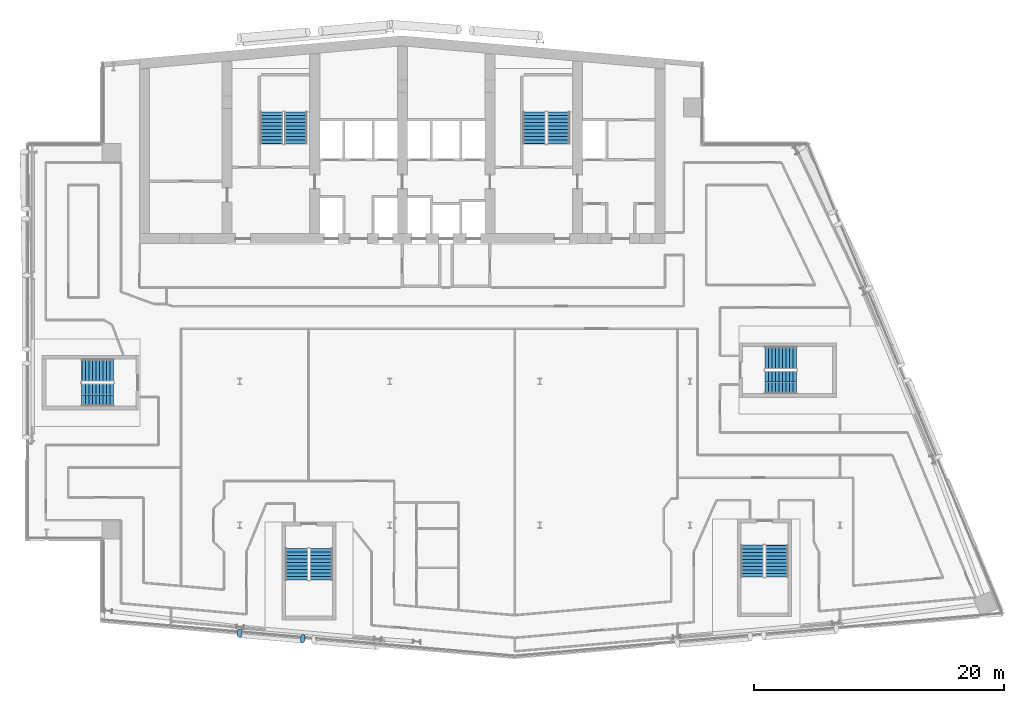
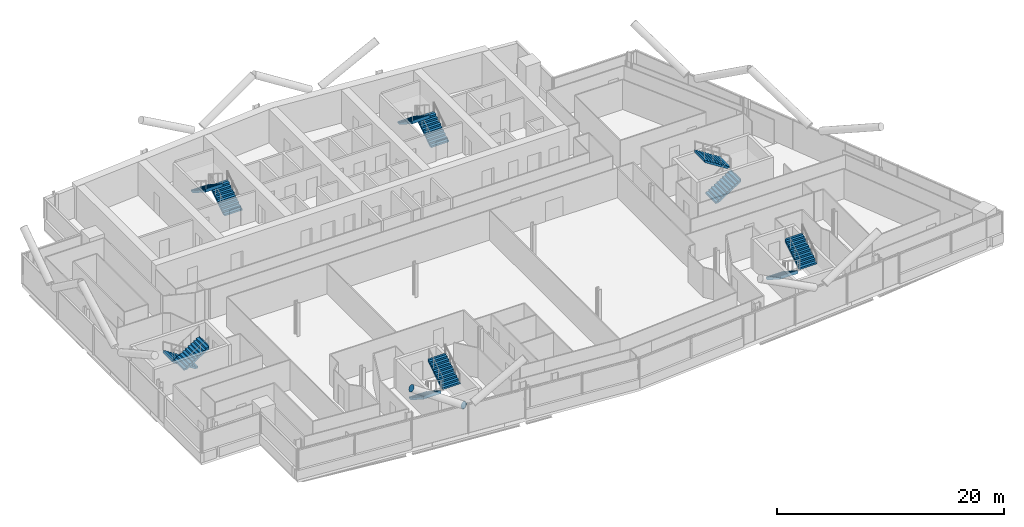
# One storey, part 21 of 28: 12 stair flights, 2 discrete accessories, 6 elements without a shape of their own.
"""IFC4 building model written with IfcOpenShell, lengths in metres."""

from ifc_helpers import new_model, si_unit, direction, frame, origin, origin_2d, place, context, subcontext, project, spatial, polyline, circle, outline, extrude, material, material_profile, profile_set, type_object, element, aggregate, save


model = new_model("IFC4")

# Units and contexts
model_context = context("Model", 3, precision=1e-05, world=origin(), true_north=direction((0.0, 1.0)))
body_context = subcontext(model_context, "Body", "Model", "MODEL_VIEW")
ifc_project = project(units=[si_unit("LENGTHUNIT", "METRE"), si_unit("AREAUNIT", "SQUARE_METRE"), si_unit("VOLUMEUNIT", "CUBIC_METRE"), si_unit("PLANEANGLEUNIT", "RADIAN"), si_unit("MASSUNIT", "GRAM", prefix="KILO")], contexts=[model_context])

# Site, building, storey
site_placement = place(None, origin())
site = spatial("IfcSite", under=ifc_project, at=site_placement, CompositionType="ELEMENT")
building_placement = place(site_placement, origin())
building = spatial("IfcBuilding", under=site, at=building_placement, Name="Wharfspan Tower", CompositionType="ELEMENT")
storey_placement = place(building_placement, frame((0.0, 0.0, 187.899902)))
storey = spatial("IfcBuildingStorey", under=building, at=storey_placement, Name="L46", CompositionType="ELEMENT", Elevation=187.899902)

# Stair, stair flights
ifc_material_1 = material(Name="Concrete C40/50", Category="concrete")
stair_type = type_object("IfcStairType", Name="Half-turn stair 20 risers 180 mm", PredefinedType="HALF_TURN_STAIR", material=ifc_material_1)
stair_1_placement = place(storey_placement, origin())
stair_1 = element("IfcStair", 1, at=stair_1_placement, inside=storey, type_object=stair_type, Name="L46 stair ST1", PredefinedType="HALF_TURN_STAIR")
stair_flight_type = type_object("IfcStairFlightType", Name="Stair flight 20 risers 180 mm", PredefinedType="STRAIGHT", material=ifc_material_1)
stair_flight_1_placement = place(storey_placement, frame((28.5, 42.0, 0.0), z_axis=(0.0, 0.0, 1.0), x_axis=(0.0, 1.0, 0.0)))
stair_flight_1 = element("IfcStairFlight", 2, at=stair_flight_1_placement, type_object=stair_flight_type, Name="ST1 flight 1", NumberOfRisers=10, NumberOfTreads=9, PredefinedType="STRAIGHT", RiserHeight=0.18, TreadLength=0.28, context=body_context, shape_type="SweptSolid", body=[
    extrude(outline(polyline([(-0.011963, 0.0), (-0.011963, 0.179932), (0.0, 0.179932), (0.280029, 0.179932), (0.280029, 0.360107), (0.560059, 0.360107), (0.560059, 0.540039), (0.840088, 0.540039), (0.840088, 0.719971), (1.120117, 0.719971), (1.120117, 0.899902), (1.399902, 0.899902), (1.399902, 1.080078), (1.679932, 1.080078), (1.679932, 1.26001), (1.959961, 1.26001), (1.959961, 1.439941), (2.23999, 1.439941), (2.23999, 1.620117), (2.52002, 1.620117), (2.531982, 1.800049), (2.531982, 1.441895), (0.2771, 0.0), (-0.011963, 0.0)])), frame((0.0, 0.899902, 0.0), z_axis=(0.0, -1.0, 0.0), x_axis=(1.0, 0.0, 0.0)), (0.0, 0.0, 1.0), 0.899414),
    extrude(outline(polyline([(-0.011963, 0.0), (-0.011963, 0.179932), (0.0, 0.179932), (0.280029, 0.179932), (0.280029, 0.360107), (0.560059, 0.360107), (0.560059, 0.540039), (0.840088, 0.540039), (0.840088, 0.719971), (1.120117, 0.719971), (1.120117, 0.899902), (1.399902, 0.899902), (1.399902, 1.080078), (1.679932, 1.080078), (1.679932, 1.26001), (1.959961, 1.26001), (1.959961, 1.439941), (2.23999, 1.439941), (2.23999, 1.620117), (2.52002, 1.620117), (2.531982, 1.800049), (2.531982, 1.441895), (0.2771, 0.0), (-0.011963, 0.0)])), frame((0.0, -0.000488, 0.0), z_axis=(0.0, -1.0, 0.0), x_axis=(1.0, 0.0, 0.0)), (0.0, 0.0, 1.0), 0.899414),
])
stair_flight_2_placement = place(storey_placement, frame((26.550049, 44.52002, 1.800049), z_axis=(0.0, 0.0, 1.0), x_axis=(0.0, -1.0, 0.0)))
stair_flight_2 = element("IfcStairFlight", 3, at=stair_flight_2_placement, type_object=stair_flight_type, Name="ST1 flight 2", NumberOfRisers=10, NumberOfTreads=9, PredefinedType="STRAIGHT", RiserHeight=0.18, TreadLength=0.28, context=body_context, shape_type="SweptSolid", body=[
    extrude(outline(polyline([(-0.011963, 0.0), (-0.011963, 0.179932), (0.0, 0.179932), (0.280029, 0.179932), (0.280029, 0.360107), (0.560059, 0.360107), (0.560059, 0.540039), (0.840088, 0.540039), (0.840088, 0.719971), (1.120117, 0.719971), (1.120117, 0.899902), (1.399902, 0.899902), (1.399902, 1.080078), (1.679932, 1.080078), (1.679932, 1.26001), (1.959961, 1.26001), (1.959961, 1.439941), (2.23999, 1.439941), (2.23999, 1.620117), (2.52002, 1.620117), (2.531982, 1.800049), (2.531982, 1.441895), (0.2771, 0.0), (-0.011963, 0.0)])), frame((0.0, 0.899902, 0.0), z_axis=(0.0, -1.0, 0.0), x_axis=(1.0, 0.0, 0.0)), (0.0, 0.0, 1.0), 0.899414),
    extrude(outline(polyline([(-0.011963, 0.0), (-0.011963, 0.179932), (0.0, 0.179932), (0.280029, 0.179932), (0.280029, 0.360107), (0.560059, 0.360107), (0.560059, 0.540039), (0.840088, 0.540039), (0.840088, 0.719971), (1.120117, 0.719971), (1.120117, 0.899902), (1.399902, 0.899902), (1.399902, 1.080078), (1.679932, 1.080078), (1.679932, 1.26001), (1.959961, 1.26001), (1.959961, 1.439941), (2.23999, 1.439941), (2.23999, 1.620117), (2.52002, 1.620117), (2.531982, 1.800049), (2.531982, 1.441895), (0.2771, 0.0), (-0.011963, 0.0)])), frame((0.0, -0.000488, 0.0), z_axis=(0.0, -1.0, 0.0), x_axis=(1.0, 0.0, 0.0)), (0.0, 0.0, 1.0), 0.899414),
])
aggregate(stair_1, [stair_flight_1, stair_flight_2])

stair_2_placement = place(storey_placement, origin())
stair_2 = element("IfcStair", 4, at=stair_2_placement, inside=storey, type_object=stair_type, Name="L46 stair ST2", PredefinedType="HALF_TURN_STAIR")
stair_flight_3_placement = place(storey_placement, frame((49.5, 42.0, 0.0), z_axis=(0.0, 0.0, 1.0), x_axis=(0.0, 1.0, 0.0)))
stair_flight_3 = element("IfcStairFlight", 5, at=stair_flight_3_placement, type_object=stair_flight_type, Name="ST2 flight 1", NumberOfRisers=10, NumberOfTreads=9, PredefinedType="STRAIGHT", RiserHeight=0.18, TreadLength=0.28, context=body_context, shape_type="SweptSolid", body=[
    extrude(outline(polyline([(-0.011963, 0.0), (-0.011963, 0.179932), (0.0, 0.179932), (0.280029, 0.179932), (0.280029, 0.360107), (0.560059, 0.360107), (0.560059, 0.540039), (0.840088, 0.540039), (0.840088, 0.719971), (1.120117, 0.719971), (1.120117, 0.899902), (1.399902, 0.899902), (1.399902, 1.080078), (1.679932, 1.080078), (1.679932, 1.26001), (1.959961, 1.26001), (1.959961, 1.439941), (2.23999, 1.439941), (2.23999, 1.620117), (2.52002, 1.620117), (2.531982, 1.800049), (2.531982, 1.441895), (0.2771, 0.0), (-0.011963, 0.0)])), frame((0.0, 0.899902, 0.0), z_axis=(0.0, -1.0, 0.0), x_axis=(1.0, 0.0, 0.0)), (0.0, 0.0, 1.0), 0.899414),
    extrude(outline(polyline([(-0.011963, 0.0), (-0.011963, 0.179932), (0.0, 0.179932), (0.280029, 0.179932), (0.280029, 0.360107), (0.560059, 0.360107), (0.560059, 0.540039), (0.840088, 0.540039), (0.840088, 0.719971), (1.120117, 0.719971), (1.120117, 0.899902), (1.399902, 0.899902), (1.399902, 1.080078), (1.679932, 1.080078), (1.679932, 1.26001), (1.959961, 1.26001), (1.959961, 1.439941), (2.23999, 1.439941), (2.23999, 1.620117), (2.52002, 1.620117), (2.531982, 1.800049), (2.531982, 1.441895), (0.2771, 0.0), (-0.011963, 0.0)])), frame((0.0, -0.000488, 0.0), z_axis=(0.0, -1.0, 0.0), x_axis=(1.0, 0.0, 0.0)), (0.0, 0.0, 1.0), 0.899414),
])
stair_flight_4_placement = place(storey_placement, frame((47.550049, 44.52002, 1.800049), z_axis=(0.0, 0.0, 1.0), x_axis=(0.0, -1.0, 0.0)))
stair_flight_4 = element("IfcStairFlight", 6, at=stair_flight_4_placement, type_object=stair_flight_type, Name="ST2 flight 2", NumberOfRisers=10, NumberOfTreads=9, PredefinedType="STRAIGHT", RiserHeight=0.18, TreadLength=0.28, context=body_context, shape_type="SweptSolid", body=[
    extrude(outline(polyline([(-0.011963, 0.0), (-0.011963, 0.179932), (0.0, 0.179932), (0.280029, 0.179932), (0.280029, 0.360107), (0.560059, 0.360107), (0.560059, 0.540039), (0.840088, 0.540039), (0.840088, 0.719971), (1.120117, 0.719971), (1.120117, 0.899902), (1.399902, 0.899902), (1.399902, 1.080078), (1.679932, 1.080078), (1.679932, 1.26001), (1.959961, 1.26001), (1.959961, 1.439941), (2.23999, 1.439941), (2.23999, 1.620117), (2.52002, 1.620117), (2.531982, 1.800049), (2.531982, 1.441895), (0.2771, 0.0), (-0.011963, 0.0)])), frame((0.0, 0.899902, 0.0), z_axis=(0.0, -1.0, 0.0), x_axis=(1.0, 0.0, 0.0)), (0.0, 0.0, 1.0), 0.899414),
    extrude(outline(polyline([(-0.011963, 0.0), (-0.011963, 0.179932), (0.0, 0.179932), (0.280029, 0.179932), (0.280029, 0.360107), (0.560059, 0.360107), (0.560059, 0.540039), (0.840088, 0.540039), (0.840088, 0.719971), (1.120117, 0.719971), (1.120117, 0.899902), (1.399902, 0.899902), (1.399902, 1.080078), (1.679932, 1.080078), (1.679932, 1.26001), (1.959961, 1.26001), (1.959961, 1.439941), (2.23999, 1.439941), (2.23999, 1.620117), (2.52002, 1.620117), (2.531982, 1.800049), (2.531982, 1.441895), (0.2771, 0.0), (-0.011963, 0.0)])), frame((0.0, -0.000488, 0.0), z_axis=(0.0, -1.0, 0.0), x_axis=(1.0, 0.0, 0.0)), (0.0, 0.0, 1.0), 0.899414),
])
aggregate(stair_2, [stair_flight_3, stair_flight_4])

stair_3_placement = place(storey_placement, origin())
stair_3 = element("IfcStair", 7, at=stair_3_placement, inside=storey, type_object=stair_type, Name="L46 stair ST3", PredefinedType="HALF_TURN_STAIR")
stair_flight_5_placement = place(storey_placement, frame((13.899902, 23.875, 0.0), z_axis=(0.0, 0.0, 1.0), x_axis=(-1.0, 0.0, 0.0)))
stair_flight_5 = element("IfcStairFlight", 8, at=stair_flight_5_placement, type_object=stair_flight_type, Name="ST3 flight 1", NumberOfRisers=10, NumberOfTreads=9, PredefinedType="STRAIGHT", RiserHeight=0.18, TreadLength=0.28, context=body_context, shape_type="SweptSolid", body=[
    extrude(outline(polyline([(-0.011963, 0.0), (-0.011963, 0.179932), (0.0, 0.179932), (0.280029, 0.179932), (0.280029, 0.360107), (0.560059, 0.360107), (0.560059, 0.540039), (0.840088, 0.540039), (0.840088, 0.719971), (1.120117, 0.719971), (1.120117, 0.899902), (1.399902, 0.899902), (1.399902, 1.080078), (1.679932, 1.080078), (1.679932, 1.26001), (1.959961, 1.26001), (1.959961, 1.439941), (2.23999, 1.439941), (2.23999, 1.620117), (2.52002, 1.620117), (2.531982, 1.800049), (2.531982, 1.441895), (0.2771, 0.0), (-0.011963, 0.0)])), frame((0.0, 0.899902, 0.0), z_axis=(0.0, -1.0, 0.0), x_axis=(1.0, 0.0, 0.0)), (0.0, 0.0, 1.0), 0.899414),
    extrude(outline(polyline([(-0.011963, 0.0), (-0.011963, 0.179932), (0.0, 0.179932), (0.280029, 0.179932), (0.280029, 0.360107), (0.560059, 0.360107), (0.560059, 0.540039), (0.840088, 0.540039), (0.840088, 0.719971), (1.120117, 0.719971), (1.120117, 0.899902), (1.399902, 0.899902), (1.399902, 1.080078), (1.679932, 1.080078), (1.679932, 1.26001), (1.959961, 1.26001), (1.959961, 1.439941), (2.23999, 1.439941), (2.23999, 1.620117), (2.52002, 1.620117), (2.531982, 1.800049), (2.531982, 1.441895), (0.2771, 0.0), (-0.011963, 0.0)])), frame((0.0, -0.000488, 0.0), z_axis=(0.0, -1.0, 0.0), x_axis=(1.0, 0.0, 0.0)), (0.0, 0.0, 1.0), 0.899414),
])
stair_flight_6_placement = place(storey_placement, frame((11.379883, 21.925049, 1.800049), z_axis=(0.0, 0.0, 1.0), x_axis=(1.0, 0.0, 0.0)))
stair_flight_6 = element("IfcStairFlight", 9, at=stair_flight_6_placement, type_object=stair_flight_type, Name="ST3 flight 2", NumberOfRisers=10, NumberOfTreads=9, PredefinedType="STRAIGHT", RiserHeight=0.18, TreadLength=0.28, context=body_context, shape_type="SweptSolid", body=[
    extrude(outline(polyline([(-0.011963, 0.0), (-0.011963, 0.179932), (0.0, 0.179932), (0.280029, 0.179932), (0.280029, 0.360107), (0.560059, 0.360107), (0.560059, 0.540039), (0.840088, 0.540039), (0.840088, 0.719971), (1.120117, 0.719971), (1.120117, 0.899902), (1.399902, 0.899902), (1.399902, 1.080078), (1.679932, 1.080078), (1.679932, 1.26001), (1.959961, 1.26001), (1.959961, 1.439941), (2.23999, 1.439941), (2.23999, 1.620117), (2.52002, 1.620117), (2.531982, 1.800049), (2.531982, 1.441895), (0.2771, 0.0), (-0.011963, 0.0)])), frame((0.0, 0.899902, 0.0), z_axis=(0.0, -1.0, 0.0), x_axis=(1.0, 0.0, 0.0)), (0.0, 0.0, 1.0), 0.899414),
    extrude(outline(polyline([(-0.011963, 0.0), (-0.011963, 0.179932), (0.0, 0.179932), (0.280029, 0.179932), (0.280029, 0.360107), (0.560059, 0.360107), (0.560059, 0.540039), (0.840088, 0.540039), (0.840088, 0.719971), (1.120117, 0.719971), (1.120117, 0.899902), (1.399902, 0.899902), (1.399902, 1.080078), (1.679932, 1.080078), (1.679932, 1.26001), (1.959961, 1.26001), (1.959961, 1.439941), (2.23999, 1.439941), (2.23999, 1.620117), (2.52002, 1.620117), (2.531982, 1.800049), (2.531982, 1.441895), (0.2771, 0.0), (-0.011963, 0.0)])), frame((0.0, -0.000488, 0.0), z_axis=(0.0, -1.0, 0.0), x_axis=(1.0, 0.0, 0.0)), (0.0, 0.0, 1.0), 0.899414),
])
aggregate(stair_3, [stair_flight_5, stair_flight_6])

stair_4_placement = place(storey_placement, origin())
stair_4 = element("IfcStair", 10, at=stair_4_placement, inside=storey, type_object=stair_type, Name="L46 stair ST4", PredefinedType="HALF_TURN_STAIR")
stair_flight_7_placement = place(storey_placement, frame((28.564209, 9.634277, 0.0), z_axis=(0.0, 0.0, 1.0), x_axis=(0.0, -1.0, 0.0)))
stair_flight_7 = element("IfcStairFlight", 11, at=stair_flight_7_placement, type_object=stair_flight_type, Name="ST4 flight 1", NumberOfRisers=10, NumberOfTreads=9, PredefinedType="STRAIGHT", RiserHeight=0.18, TreadLength=0.28, context=body_context, shape_type="SweptSolid", body=[
    extrude(outline(polyline([(-0.011963, 0.0), (-0.011963, 0.179932), (0.0, 0.179932), (0.280029, 0.179932), (0.280029, 0.360107), (0.560059, 0.360107), (0.560059, 0.540039), (0.840088, 0.540039), (0.840088, 0.719971), (1.120117, 0.719971), (1.120117, 0.899902), (1.399902, 0.899902), (1.399902, 1.080078), (1.679932, 1.080078), (1.679932, 1.26001), (1.959961, 1.26001), (1.959961, 1.439941), (2.23999, 1.439941), (2.23999, 1.620117), (2.52002, 1.620117), (2.531982, 1.800049), (2.531982, 1.441895), (0.2771, 0.0), (-0.011963, 0.0)])), frame((0.0, 0.899902, 0.0), z_axis=(0.0, -1.0, 0.0), x_axis=(1.0, 0.0, 0.0)), (0.0, 0.0, 1.0), 0.899414),
    extrude(outline(polyline([(-0.011963, 0.0), (-0.011963, 0.179932), (0.0, 0.179932), (0.280029, 0.179932), (0.280029, 0.360107), (0.560059, 0.360107), (0.560059, 0.540039), (0.840088, 0.540039), (0.840088, 0.719971), (1.120117, 0.719971), (1.120117, 0.899902), (1.399902, 0.899902), (1.399902, 1.080078), (1.679932, 1.080078), (1.679932, 1.26001), (1.959961, 1.26001), (1.959961, 1.439941), (2.23999, 1.439941), (2.23999, 1.620117), (2.52002, 1.620117), (2.531982, 1.800049), (2.531982, 1.441895), (0.2771, 0.0), (-0.011963, 0.0)])), frame((0.0, -0.000488, 0.0), z_axis=(0.0, -1.0, 0.0), x_axis=(1.0, 0.0, 0.0)), (0.0, 0.0, 1.0), 0.899414),
])
stair_flight_8_placement = place(storey_placement, frame((30.51416, 7.114258, 1.800049), z_axis=(0.0, 0.0, 1.0), x_axis=(0.0, 1.0, 0.0)))
stair_flight_8 = element("IfcStairFlight", 12, at=stair_flight_8_placement, type_object=stair_flight_type, Name="ST4 flight 2", NumberOfRisers=10, NumberOfTreads=9, PredefinedType="STRAIGHT", RiserHeight=0.18, TreadLength=0.28, context=body_context, shape_type="SweptSolid", body=[
    extrude(outline(polyline([(-0.011963, 0.0), (-0.011963, 0.179932), (0.0, 0.179932), (0.280029, 0.179932), (0.280029, 0.360107), (0.560059, 0.360107), (0.560059, 0.540039), (0.840088, 0.540039), (0.840088, 0.719971), (1.120117, 0.719971), (1.120117, 0.899902), (1.399902, 0.899902), (1.399902, 1.080078), (1.679932, 1.080078), (1.679932, 1.26001), (1.959961, 1.26001), (1.959961, 1.439941), (2.23999, 1.439941), (2.23999, 1.620117), (2.52002, 1.620117), (2.531982, 1.800049), (2.531982, 1.441895), (0.2771, 0.0), (-0.011963, 0.0)])), frame((0.0, 0.899902, 0.0), z_axis=(0.0, -1.0, 0.0), x_axis=(1.0, 0.0, 0.0)), (0.0, 0.0, 1.0), 0.899414),
    extrude(outline(polyline([(-0.011963, 0.0), (-0.011963, 0.179932), (0.0, 0.179932), (0.280029, 0.179932), (0.280029, 0.360107), (0.560059, 0.360107), (0.560059, 0.540039), (0.840088, 0.540039), (0.840088, 0.719971), (1.120117, 0.719971), (1.120117, 0.899902), (1.399902, 0.899902), (1.399902, 1.080078), (1.679932, 1.080078), (1.679932, 1.26001), (1.959961, 1.26001), (1.959961, 1.439941), (2.23999, 1.439941), (2.23999, 1.620117), (2.52002, 1.620117), (2.531982, 1.800049), (2.531982, 1.441895), (0.2771, 0.0), (-0.011963, 0.0)])), frame((0.0, -0.000488, 0.0), z_axis=(0.0, -1.0, 0.0), x_axis=(1.0, 0.0, 0.0)), (0.0, 0.0, 1.0), 0.899414),
])
aggregate(stair_4, [stair_flight_7, stair_flight_8])

stair_5_placement = place(storey_placement, origin())
stair_5 = element("IfcStair", 13, at=stair_5_placement, inside=storey, type_object=stair_type, Name="L46 stair ST5", PredefinedType="HALF_TURN_STAIR")
stair_flight_9_placement = place(storey_placement, frame((64.986328, 9.883789, 0.0), z_axis=(0.0, 0.0, 1.0), x_axis=(0.0, -1.0, 0.0)))
stair_flight_9 = element("IfcStairFlight", 14, at=stair_flight_9_placement, type_object=stair_flight_type, Name="ST5 flight 1", NumberOfRisers=10, NumberOfTreads=9, PredefinedType="STRAIGHT", RiserHeight=0.18, TreadLength=0.28, context=body_context, shape_type="SweptSolid", body=[
    extrude(outline(polyline([(-0.011963, 0.0), (-0.011963, 0.179932), (0.0, 0.179932), (0.280029, 0.179932), (0.280029, 0.360107), (0.560059, 0.360107), (0.560059, 0.540039), (0.840088, 0.540039), (0.840088, 0.719971), (1.120117, 0.719971), (1.120117, 0.899902), (1.399902, 0.899902), (1.399902, 1.080078), (1.679932, 1.080078), (1.679932, 1.26001), (1.959961, 1.26001), (1.959961, 1.439941), (2.23999, 1.439941), (2.23999, 1.620117), (2.52002, 1.620117), (2.531982, 1.800049), (2.531982, 1.441895), (0.2771, 0.0), (-0.011963, 0.0)])), frame((0.0, 0.899902, 0.0), z_axis=(0.0, -1.0, 0.0), x_axis=(1.0, 0.0, 0.0)), (0.0, 0.0, 1.0), 0.899414),
    extrude(outline(polyline([(-0.011963, 0.0), (-0.011963, 0.179932), (0.0, 0.179932), (0.280029, 0.179932), (0.280029, 0.360107), (0.560059, 0.360107), (0.560059, 0.540039), (0.840088, 0.540039), (0.840088, 0.719971), (1.120117, 0.719971), (1.120117, 0.899902), (1.399902, 0.899902), (1.399902, 1.080078), (1.679932, 1.080078), (1.679932, 1.26001), (1.959961, 1.26001), (1.959961, 1.439941), (2.23999, 1.439941), (2.23999, 1.620117), (2.52002, 1.620117), (2.531982, 1.800049), (2.531982, 1.441895), (0.2771, 0.0), (-0.011963, 0.0)])), frame((0.0, -0.000488, 0.0), z_axis=(0.0, -1.0, 0.0), x_axis=(1.0, 0.0, 0.0)), (0.0, 0.0, 1.0), 0.899414),
])
stair_flight_10_placement = place(storey_placement, frame((66.936279, 7.36377, 1.800049), z_axis=(0.0, 0.0, 1.0), x_axis=(0.0, 1.0, 0.0)))
stair_flight_10 = element("IfcStairFlight", 15, at=stair_flight_10_placement, type_object=stair_flight_type, Name="ST5 flight 2", NumberOfRisers=10, NumberOfTreads=9, PredefinedType="STRAIGHT", RiserHeight=0.18, TreadLength=0.28, context=body_context, shape_type="SweptSolid", body=[
    extrude(outline(polyline([(-0.011963, 0.0), (-0.011963, 0.179932), (0.0, 0.179932), (0.280029, 0.179932), (0.280029, 0.360107), (0.560059, 0.360107), (0.560059, 0.540039), (0.840088, 0.540039), (0.840088, 0.719971), (1.120117, 0.719971), (1.120117, 0.899902), (1.399902, 0.899902), (1.399902, 1.080078), (1.679932, 1.080078), (1.679932, 1.26001), (1.959961, 1.26001), (1.959961, 1.439941), (2.23999, 1.439941), (2.23999, 1.620117), (2.52002, 1.620117), (2.531982, 1.800049), (2.531982, 1.441895), (0.2771, 0.0), (-0.011963, 0.0)])), frame((0.0, 0.899902, 0.0), z_axis=(0.0, -1.0, 0.0), x_axis=(1.0, 0.0, 0.0)), (0.0, 0.0, 1.0), 0.899414),
    extrude(outline(polyline([(-0.011963, 0.0), (-0.011963, 0.179932), (0.0, 0.179932), (0.280029, 0.179932), (0.280029, 0.360107), (0.560059, 0.360107), (0.560059, 0.540039), (0.840088, 0.540039), (0.840088, 0.719971), (1.120117, 0.719971), (1.120117, 0.899902), (1.399902, 0.899902), (1.399902, 1.080078), (1.679932, 1.080078), (1.679932, 1.26001), (1.959961, 1.26001), (1.959961, 1.439941), (2.23999, 1.439941), (2.23999, 1.620117), (2.52002, 1.620117), (2.531982, 1.800049), (2.531982, 1.441895), (0.2771, 0.0), (-0.011963, 0.0)])), frame((0.0, -0.000488, 0.0), z_axis=(0.0, -1.0, 0.0), x_axis=(1.0, 0.0, 0.0)), (0.0, 0.0, 1.0), 0.899414),
])
aggregate(stair_5, [stair_flight_9, stair_flight_10])

stair_6_placement = place(storey_placement, origin())
stair_6 = element("IfcStair", 16, at=stair_6_placement, inside=storey, type_object=stair_type, Name="L46 stair ST6", PredefinedType="HALF_TURN_STAIR")
stair_flight_11_placement = place(storey_placement, frame((66.004639, 22.925049, 0.0), z_axis=(0.0, 0.0, 1.0), x_axis=(1.0, 0.0, 0.0)))
stair_flight_11 = element("IfcStairFlight", 17, at=stair_flight_11_placement, type_object=stair_flight_type, Name="ST6 flight 1", NumberOfRisers=10, NumberOfTreads=9, PredefinedType="STRAIGHT", RiserHeight=0.18, TreadLength=0.28, context=body_context, shape_type="SweptSolid", body=[
    extrude(outline(polyline([(-0.011963, 0.0), (-0.011963, 0.179932), (0.0, 0.179932), (0.280029, 0.179932), (0.280029, 0.360107), (0.560059, 0.360107), (0.560059, 0.540039), (0.840088, 0.540039), (0.840088, 0.719971), (1.120117, 0.719971), (1.120117, 0.899902), (1.399902, 0.899902), (1.399902, 1.080078), (1.679932, 1.080078), (1.679932, 1.26001), (1.959961, 1.26001), (1.959961, 1.439941), (2.23999, 1.439941), (2.23999, 1.620117), (2.52002, 1.620117), (2.531982, 1.800049), (2.531982, 1.441895), (0.2771, 0.0), (-0.011963, 0.0)])), frame((0.0, 0.899902, 0.0), z_axis=(0.0, -1.0, 0.0), x_axis=(1.0, 0.0, 0.0)), (0.0, 0.0, 1.0), 0.899414),
    extrude(outline(polyline([(-0.011963, 0.0), (-0.011963, 0.179932), (0.0, 0.179932), (0.280029, 0.179932), (0.280029, 0.360107), (0.560059, 0.360107), (0.560059, 0.540039), (0.840088, 0.540039), (0.840088, 0.719971), (1.120117, 0.719971), (1.120117, 0.899902), (1.399902, 0.899902), (1.399902, 1.080078), (1.679932, 1.080078), (1.679932, 1.26001), (1.959961, 1.26001), (1.959961, 1.439941), (2.23999, 1.439941), (2.23999, 1.620117), (2.52002, 1.620117), (2.531982, 1.800049), (2.531982, 1.441895), (0.2771, 0.0), (-0.011963, 0.0)])), frame((0.0, -0.000488, 0.0), z_axis=(0.0, -1.0, 0.0), x_axis=(1.0, 0.0, 0.0)), (0.0, 0.0, 1.0), 0.899414),
])
stair_flight_12_placement = place(storey_placement, frame((68.524658, 24.875, 1.800049), z_axis=(0.0, 0.0, 1.0), x_axis=(-1.0, 0.0, 0.0)))
stair_flight_12 = element("IfcStairFlight", 18, at=stair_flight_12_placement, type_object=stair_flight_type, Name="ST6 flight 2", NumberOfRisers=10, NumberOfTreads=9, PredefinedType="STRAIGHT", RiserHeight=0.18, TreadLength=0.28, context=body_context, shape_type="SweptSolid", body=[
    extrude(outline(polyline([(-0.011963, 0.0), (-0.011963, 0.179932), (0.0, 0.179932), (0.280029, 0.179932), (0.280029, 0.360107), (0.560059, 0.360107), (0.560059, 0.540039), (0.840088, 0.540039), (0.840088, 0.719971), (1.120117, 0.719971), (1.120117, 0.899902), (1.399902, 0.899902), (1.399902, 1.080078), (1.679932, 1.080078), (1.679932, 1.26001), (1.959961, 1.26001), (1.959961, 1.439941), (2.23999, 1.439941), (2.23999, 1.620117), (2.52002, 1.620117), (2.531982, 1.800049), (2.531982, 1.441895), (0.2771, 0.0), (-0.011963, 0.0)])), frame((0.0, 0.899902, 0.0), z_axis=(0.0, -1.0, 0.0), x_axis=(1.0, 0.0, 0.0)), (0.0, 0.0, 1.0), 0.899414),
    extrude(outline(polyline([(-0.011963, 0.0), (-0.011963, 0.179932), (0.0, 0.179932), (0.280029, 0.179932), (0.280029, 0.360107), (0.560059, 0.360107), (0.560059, 0.540039), (0.840088, 0.540039), (0.840088, 0.719971), (1.120117, 0.719971), (1.120117, 0.899902), (1.399902, 0.899902), (1.399902, 1.080078), (1.679932, 1.080078), (1.679932, 1.26001), (1.959961, 1.26001), (1.959961, 1.439941), (2.23999, 1.439941), (2.23999, 1.620117), (2.52002, 1.620117), (2.531982, 1.800049), (2.531982, 1.441895), (0.2771, 0.0), (-0.011963, 0.0)])), frame((0.0, -0.000488, 0.0), z_axis=(0.0, -1.0, 0.0), x_axis=(1.0, 0.0, 0.0)), (0.0, 0.0, 1.0), 0.899414),
])
aggregate(stair_6, [stair_flight_11, stair_flight_12])

# Discrete accessories
ifc_material_2 = material(Name="Steel S460NH", Category="steel")
ifc_material_profile = material_profile(ifc_material_2, circle(Radius=0.355469, at=origin_2d()))
ifc_profile_set = profile_set([ifc_material_profile], Name="Steel S460NH")
discrete_accessory_type = type_object("IfcDiscreteAccessoryType", Name="End plate CHS 711x36", PredefinedType="BRACKET", material=ifc_profile_set)
for number, where, z_axis, x_axis, name in (
    (19, (29.051758, 2.415527, 3.19043), (-0.844416, 0.072379, 0.530776), (-0.085402, -0.99635, 0.0), "End plate CHS 711x36"),
    (20, (23.995117, 2.85791, 6.5), (-0.82608, 0.072889, 0.558819), (-0.087894, -0.99613, -1e-06), "End plate CHS 711x36"),
):
    element("IfcDiscreteAccessory", number, at=place(storey_placement, frame(where, z_axis=z_axis, x_axis=x_axis)), inside=storey, type_object=discrete_accessory_type, Name=name, PredefinedType="BRACKET", context=body_context, shape_type="SweptSolid", body=[
        extrude(circle(Radius=0.355469, at=origin_2d()), origin(), (0.0, 0.0, 1.0), 0.01001),
    ])

save(model, "model.ifc")
